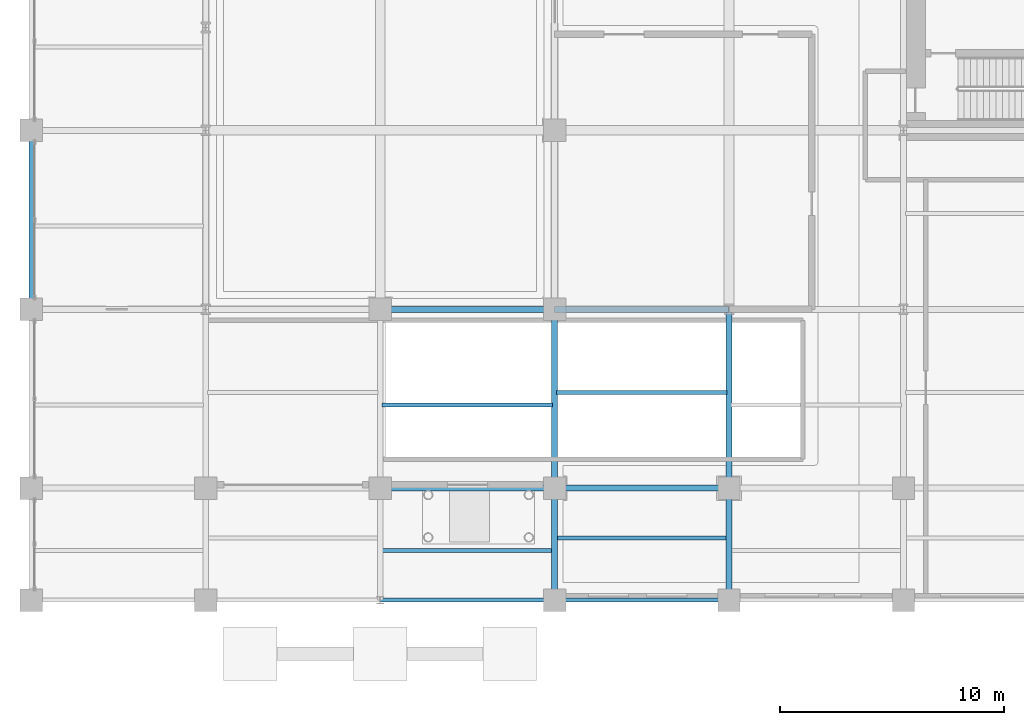
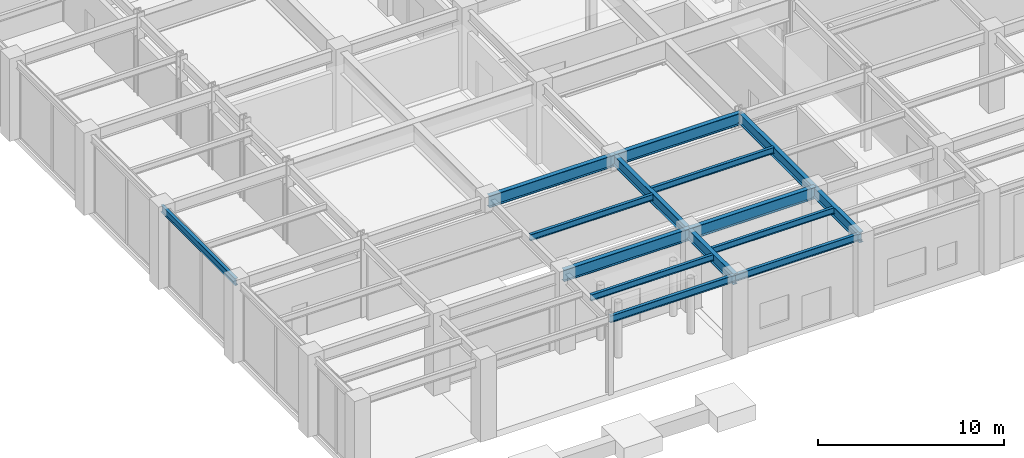
# One storey, part 7 of 27: 15 beams.
"""IFC4 building model written with IfcOpenShell, lengths in metres."""

from ifc_helpers import new_model, si_unit, direction, frame, origin, origin_2d, place, context, subcontext, project, spatial, i_section, extrude, material, material_profile, profile_set, type_object, element, save


model = new_model("IFC4")

# Units and contexts
model_context = context("Model", 3, precision=1e-05, world=origin(), true_north=direction((0.0, 1.0)))
body_context = subcontext(model_context, "Body", "Model", "MODEL_VIEW")
ifc_project = project(units=[si_unit("LENGTHUNIT", "METRE"), si_unit("AREAUNIT", "SQUARE_METRE"), si_unit("VOLUMEUNIT", "CUBIC_METRE"), si_unit("PLANEANGLEUNIT", "RADIAN"), si_unit("MASSUNIT", "GRAM", prefix="KILO")], contexts=[model_context])

# Site, building, storey
site_placement = place(None, origin())
site = spatial("IfcSite", under=ifc_project, at=site_placement, CompositionType="ELEMENT")
building_placement = place(site_placement, origin())
building = spatial("IfcBuilding", under=site, at=building_placement, Name="Veymaron Broadcast Tower", CompositionType="ELEMENT")
storey_placement = place(building_placement, origin())
storey = spatial("IfcBuildingStorey", under=building, at=storey_placement, Name="L00", CompositionType="ELEMENT", Elevation=0.0)

# Beams
ifc_material = material(Name="Structural steel ASTM A992 Gr 50", Category="steel")
ifc_material_profile_1 = material_profile(ifc_material, i_section(OverallWidth=0.177978515625, OverallDepth=0.406982421875, WebThickness=0.0078125, FlangeThickness=0.0126953125, at=origin_2d()), Name="W410X60")
ifc_profile_set_1 = profile_set([ifc_material_profile_1], Name="Structural steel ASTM A992 Gr 50")
beam_type_1 = type_object("IfcBeamType", Name="BM-JS1", PredefinedType="JOIST", material=ifc_profile_set_1)
for number, where, z_axis, x_axis, name in (
    (1, (15.68505859375, -2.780029296875, 4.91650390625), (1.0, 0.0, 0.0), (0.0, 1.0, 0.0), "L00 podium secondary floor joist"),
    (2, (15.68505859375, 3.719970703125, 4.91650390625), (1.0, 0.0, 0.0), (0.0, 1.0, 0.0), "L00 podium secondary floor joist"),
    (3, (23.485107421875, -2.219970703125, 4.91650390625), (1.0, 0.0, 0.0), (0.0, 1.0, 0.0), "L00 podium secondary floor joist"),
    (4, (23.485107421875, 4.280029296875, 4.91650390625), (1.0, 0.0, 0.0), (0.0, 1.0, 0.0), "L00 podium secondary floor joist"),
):
    element("IfcBeam", number, at=place(storey_placement, frame(where, z_axis=z_axis, x_axis=x_axis)), inside=storey, type_object=beam_type_1, Name=name, PredefinedType="JOIST", context=body_context, shape_type="SweptSolid", body=[
        extrude(i_section(OverallWidth=0.177978515625, OverallDepth=0.406982421875, WebThickness=0.0078125, FlangeThickness=0.0126953125, at=origin_2d()), origin(), (0.0, 0.0, 1.0), 7.6298828125),
    ])
ifc_material_profile_2 = material_profile(ifc_material, i_section(OverallWidth=0.26806640625, OverallDepth=0.77001953125, WebThickness=0.015625, FlangeThickness=0.025390625, at=origin_2d()), Name="W760X196")
ifc_profile_set_2 = profile_set([ifc_material_profile_2], Name="Structural steel ASTM A992 Gr 50")
beam_type_2 = type_object("IfcBeamType", Name="BM-PG1", PredefinedType="BEAM", material=ifc_profile_set_2)
beam_1_placement = place(storey_placement, frame((15.60009765625, 0.0, 4.735107421875), z_axis=(1.0, 0.0, 0.0), x_axis=(0.0, 1.0, 0.0)))
element("IfcBeam", 5, at=beam_1_placement, inside=storey, type_object=beam_type_2, Name="L00 podium primary X-girder", PredefinedType="BEAM", context=body_context, shape_type="SweptSolid", body=[
    extrude(i_section(OverallWidth=0.26806640625, OverallDepth=0.77001953125, WebThickness=0.015625, FlangeThickness=0.025390625, at=origin_2d()), origin(), (0.0, 0.0, 1.0), 7.7998046875),
])
beam_2_placement = place(storey_placement, frame((23.39990234375, 0.0, 4.735107421875), z_axis=(1.0, 0.0, 0.0), x_axis=(0.0, 1.0, 0.0)))
element("IfcBeam", 6, at=beam_2_placement, inside=storey, type_object=beam_type_2, Name="L00 podium primary X-girder", PredefinedType="BEAM", context=body_context, shape_type="SweptSolid", body=[
    extrude(i_section(OverallWidth=0.26806640625, OverallDepth=0.77001953125, WebThickness=0.015625, FlangeThickness=0.025390625, at=origin_2d()), origin(), (0.0, 0.0, 1.0), 7.800048828125),
])
beam_3_placement = place(storey_placement, frame((15.60009765625, 8.0, 4.735107421875), z_axis=(1.0, 0.0, 0.0), x_axis=(0.0, 1.0, 0.0)))
element("IfcBeam", 7, at=beam_3_placement, inside=storey, type_object=beam_type_2, Name="L00 podium primary X-girder", PredefinedType="BEAM", context=body_context, shape_type="SweptSolid", body=[
    extrude(i_section(OverallWidth=0.26806640625, OverallDepth=0.77001953125, WebThickness=0.015625, FlangeThickness=0.025390625, at=origin_2d()), origin(), (0.0, 0.0, 1.0), 7.7998046875),
])
beam_4_placement = place(storey_placement, frame((23.39990234375, 8.0, 4.735107421875), z_axis=(1.0, 0.0, 0.0), x_axis=(0.0, 1.0, 0.0)))
element("IfcBeam", 8, at=beam_4_placement, inside=storey, type_object=beam_type_2, Name="L00 podium primary X-girder", PredefinedType="BEAM", context=body_context, shape_type="SweptSolid", body=[
    extrude(i_section(OverallWidth=0.26806640625, OverallDepth=0.77001953125, WebThickness=0.015625, FlangeThickness=0.025390625, at=origin_2d()), origin(), (0.0, 0.0, 1.0), 7.800048828125),
])
ifc_material_profile_3 = material_profile(ifc_material, i_section(OverallWidth=0.256103515625, OverallDepth=0.693115234375, WebThickness=0.014404296875, FlangeThickness=0.023681640625, at=origin_2d()), Name="W690X170")
ifc_profile_set_3 = profile_set([ifc_material_profile_3], Name="Structural steel ASTM A992 Gr 50")
beam_type_3 = type_object("IfcBeamType", Name="BM-PG2", PredefinedType="BEAM", material=ifc_profile_set_3)
beam_5_placement = place(storey_placement, frame((23.39990234375, -5.0, 4.7734375), z_axis=(0.0, 1.0, 0.0), x_axis=(-1.0, 0.0, 0.0)))
element("IfcBeam", 9, at=beam_5_placement, inside=storey, type_object=beam_type_3, Name="L00 podium primary Y-girder", PredefinedType="BEAM", context=body_context, shape_type="SweptSolid", body=[
    extrude(i_section(OverallWidth=0.256103515625, OverallDepth=0.693115234375, WebThickness=0.014404296875, FlangeThickness=0.023681640625, at=origin_2d()), origin(), (0.0, 0.0, 1.0), 5.0),
])
beam_6_placement = place(storey_placement, frame((23.39990234375, 0.0, 4.7734375), z_axis=(0.0, 1.0, 0.0), x_axis=(-1.0, 0.0, 0.0)))
element("IfcBeam", 10, at=beam_6_placement, inside=storey, type_object=beam_type_3, Name="L00 podium primary Y-girder", PredefinedType="BEAM", context=body_context, shape_type="SweptSolid", body=[
    extrude(i_section(OverallWidth=0.256103515625, OverallDepth=0.693115234375, WebThickness=0.014404296875, FlangeThickness=0.023681640625, at=origin_2d()), origin(), (0.0, 0.0, 1.0), 8.0),
])
beam_7_placement = place(storey_placement, frame((31.199951171875, -5.0, 4.7734375), z_axis=(0.0, 1.0, 0.0), x_axis=(-1.0, 0.0, 0.0)))
element("IfcBeam", 11, at=beam_7_placement, inside=storey, type_object=beam_type_3, Name="L00 podium primary Y-girder", PredefinedType="BEAM", context=body_context, shape_type="SweptSolid", body=[
    extrude(i_section(OverallWidth=0.256103515625, OverallDepth=0.693115234375, WebThickness=0.014404296875, FlangeThickness=0.023681640625, at=origin_2d()), origin(), (0.0, 0.0, 1.0), 5.0),
])
beam_8_placement = place(storey_placement, frame((31.199951171875, 0.0, 4.7734375), z_axis=(0.0, 1.0, 0.0), x_axis=(-1.0, 0.0, 0.0)))
element("IfcBeam", 12, at=beam_8_placement, inside=storey, type_object=beam_type_3, Name="L00 podium primary Y-girder", PredefinedType="BEAM", context=body_context, shape_type="SweptSolid", body=[
    extrude(i_section(OverallWidth=0.256103515625, OverallDepth=0.693115234375, WebThickness=0.014404296875, FlangeThickness=0.023681640625, at=origin_2d()), origin(), (0.0, 0.0, 1.0), 8.0),
])
ifc_material_profile_4 = material_profile(ifc_material, i_section(OverallWidth=0.19091796875, OverallDepth=0.4599609375, WebThickness=0.010009765625, FlangeThickness=0.01611328125, at=origin_2d()), Name="W460X82")
ifc_profile_set_4 = profile_set([ifc_material_profile_4], Name="Structural steel ASTM A992 Gr 50")
beam_type_4 = type_object("IfcBeamType", Name="BM-SP1", PredefinedType="SPANDREL", material=ifc_profile_set_4)
beam_9_placement = place(storey_placement, frame((15.60009765625, -5.0, 4.889892578125), z_axis=(1.0, 0.0, 0.0), x_axis=(0.0, 1.0, 0.0)))
element("IfcBeam", 13, at=beam_9_placement, inside=storey, type_object=beam_type_4, Name="L00 podium primary X-girder", PredefinedType="SPANDREL", context=body_context, shape_type="SweptSolid", body=[
    extrude(i_section(OverallWidth=0.19091796875, OverallDepth=0.4599609375, WebThickness=0.010009765625, FlangeThickness=0.01611328125, at=origin_2d()), origin(), (0.0, 0.0, 1.0), 7.7998046875),
])
beam_10_placement = place(storey_placement, frame((23.39990234375, -5.0, 4.889892578125), z_axis=(1.0, 0.0, 0.0), x_axis=(0.0, 1.0, 0.0)))
element("IfcBeam", 14, at=beam_10_placement, inside=storey, type_object=beam_type_4, Name="L00 podium primary X-girder", PredefinedType="SPANDREL", context=body_context, shape_type="SweptSolid", body=[
    extrude(i_section(OverallWidth=0.19091796875, OverallDepth=0.4599609375, WebThickness=0.010009765625, FlangeThickness=0.01611328125, at=origin_2d()), origin(), (0.0, 0.0, 1.0), 7.800048828125),
])
beam_11_placement = place(storey_placement, frame((0.0, 8.0, 4.889892578125), z_axis=(0.0, 1.0, 0.0), x_axis=(-1.0, 0.0, 0.0)))
element("IfcBeam", 15, at=beam_11_placement, inside=storey, type_object=beam_type_4, Name="L00 podium primary Y-girder", PredefinedType="SPANDREL", context=body_context, shape_type="SweptSolid", body=[
    extrude(i_section(OverallWidth=0.19091796875, OverallDepth=0.4599609375, WebThickness=0.010009765625, FlangeThickness=0.01611328125, at=origin_2d()), origin(), (0.0, 0.0, 1.0), 8.0),
])

save(model, "model.ifc")
